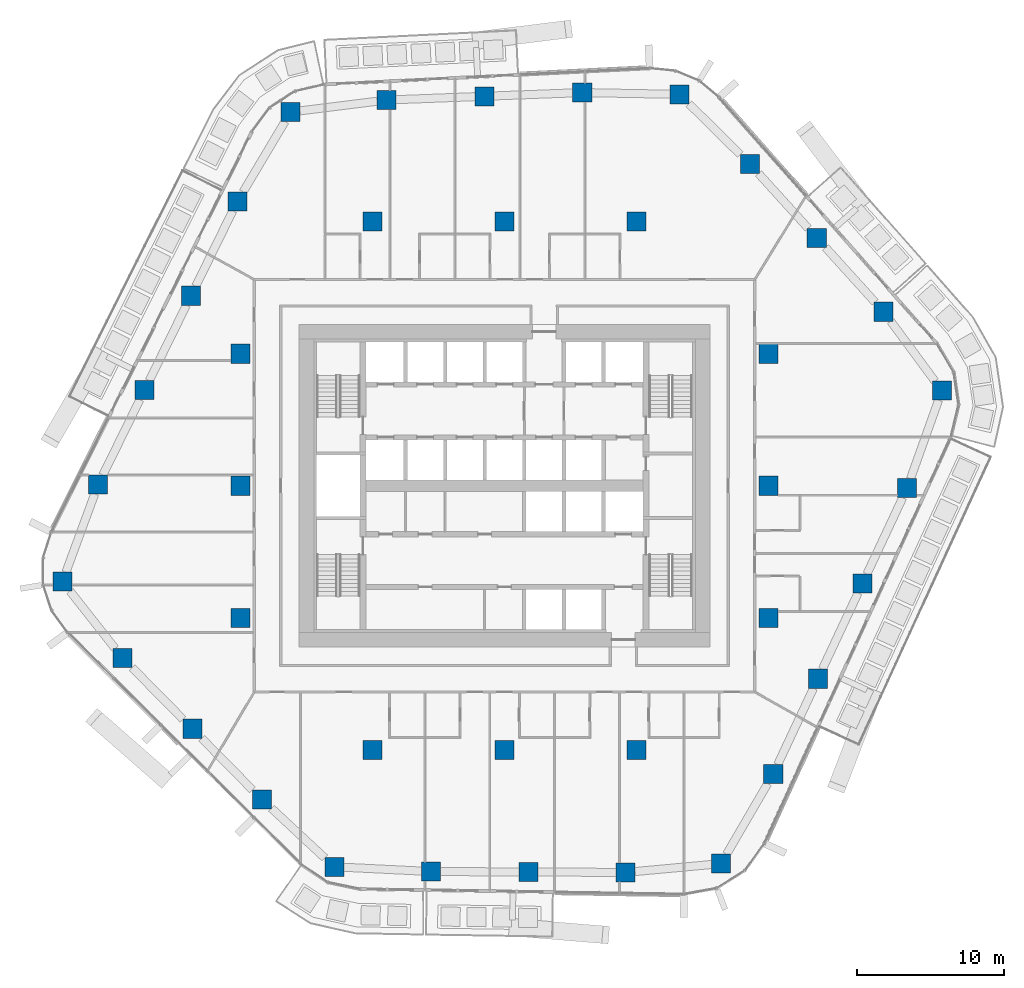
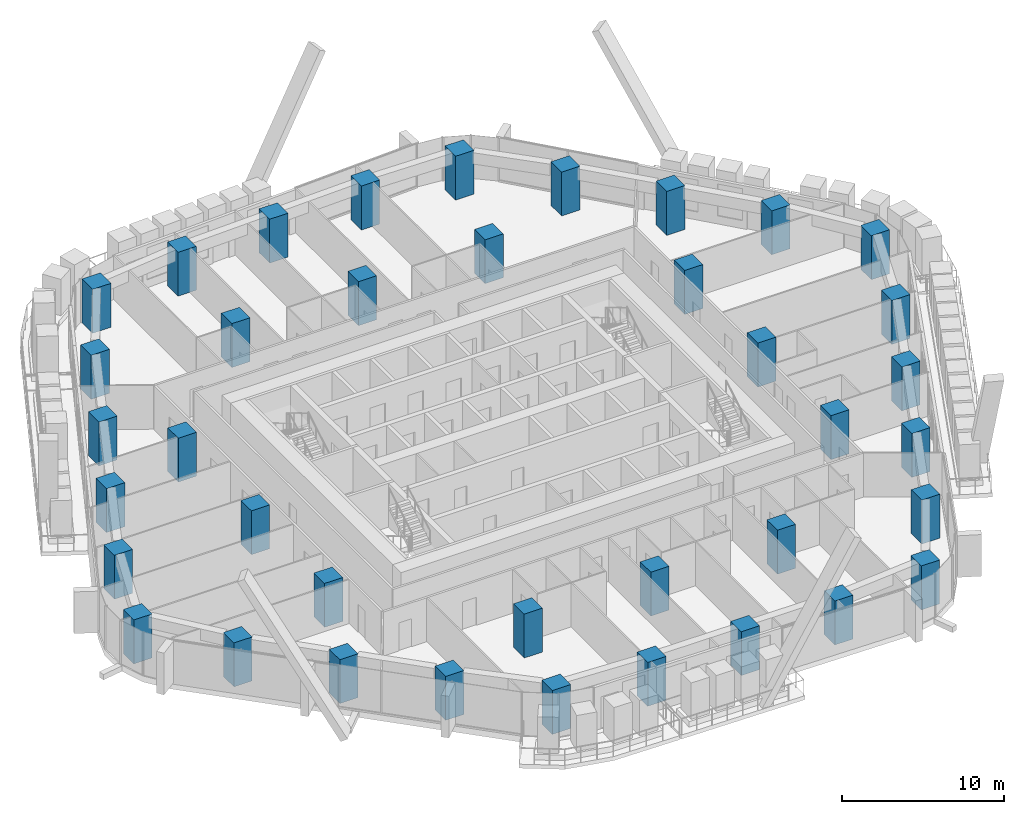
# One storey, part 1 of 25: 38 columns.
"""IFC4 building model written with IfcOpenShell, lengths in metres."""

from ifc_helpers import new_model, si_unit, direction, frame, origin, origin_2d, place, context, subcontext, project, spatial, rectangle, extrude, material, material_profile, profile_set, type_object, element, save


model = new_model("IFC4")

# Units and contexts
model_context = context("Model", 3, precision=1e-05, world=origin(), true_north=direction((0.0, 1.0)))
body_context = subcontext(model_context, "Body", "Model", "MODEL_VIEW")
ifc_project = project(units=[si_unit("LENGTHUNIT", "METRE"), si_unit("AREAUNIT", "SQUARE_METRE"), si_unit("VOLUMEUNIT", "CUBIC_METRE"), si_unit("PLANEANGLEUNIT", "RADIAN"), si_unit("MASSUNIT", "GRAM", prefix="KILO")], contexts=[model_context])

# Site, building, storey
site_placement = place(None, origin())
site = spatial("IfcSite", under=ifc_project, at=site_placement, CompositionType="ELEMENT")
building_placement = place(site_placement, origin())
building = spatial("IfcBuilding", under=site, at=building_placement, Name="Dongbaek Canopy Tower", CompositionType="ELEMENT")
storey_placement = place(building_placement, frame((0.0, 0.0, 102.60009765625)))
storey = spatial("IfcBuildingStorey", under=building, at=storey_placement, Name="L21", CompositionType="ELEMENT", Elevation=102.60009765625)

# Columns
ifc_material = material(Name="Concrete C80", Category="concrete")
ifc_material_profile = material_profile(ifc_material, rectangle(XDim=1.300048828125, YDim=1.300048828125, at=origin_2d()), Name="RC COLUMN 1300x1300 C80")
ifc_profile_set = profile_set([ifc_material_profile], Name="Concrete C80")
column_type = type_object("IfcColumnType", Name="RC COLUMN 1300x1300 C80", PredefinedType="COLUMN", material=ifc_profile_set)
for number, where, z_axis, x_axis, name in (
    (1, (14.760009765625, -25.7490234375, 0.0), (0.0, 0.0, 1.0), (1.0, 0.0, 0.0), "COL:CZ2-01:L21"),
    (2, (8.258056640625, -26.34912109375, 0.0), (0.0, 0.0, 1.0), (1.0, 0.0, 0.0), "COL:CZ2-02:L21"),
    (3, (1.62890625, -26.319091796875, 0.0), (0.0, 0.0, 1.0), (1.0, 0.0, 0.0), "COL:CZ2-03:L21"),
    (4, (-5.0, -26.2900390625, 0.0), (0.0, 0.0, 1.0), (1.0, 0.0, 0.0), "COL:CZ2-04:L21"),
    (5, (-11.59912109375, -25.966064453125, 0.0), (0.0, 0.0, 1.0), (1.0, 0.0, 0.0), "COL:CZ2-05:L21"),
    (6, (-16.532958984375, -21.376953125, 0.0), (0.0, 0.0, 1.0), (1.0, 0.0, 0.0), "COL:CZ2-06:L21"),
    (7, (-21.277099609375, -16.56005859375, 0.0), (0.0, 0.0, 1.0), (1.0, 0.0, 0.0), "COL:CZ2-07:L21"),
    (8, (-26.02099609375, -11.742919921875, 0.0), (0.0, 0.0, 1.0), (1.0, 0.0, 0.0), "COL:CZ2-08:L21"),
    (9, (-30.125, -6.527099609375, 0.0), (0.0, 0.0, 1.0), (1.0, 0.0, 0.0), "COL:CZ2-09:L21"),
    (10, (-27.693115234375, 0.0830078125, 0.0), (0.0, 0.0, 1.0), (1.0, 0.0, 0.0), "COL:CZ2-10:L21"),
    (11, (-24.529052734375, 6.51806640625, 0.0), (0.0, 0.0, 1.0), (1.0, 0.0, 0.0), "COL:CZ2-11:L21"),
    (12, (-21.364013671875, 12.951904296875, 0.0), (0.0, 0.0, 1.0), (1.0, 0.0, 0.0), "COL:CZ2-12:L21"),
    (13, (-18.198974609375, 19.385986328125, 0.0), (0.0, 0.0, 1.0), (1.0, 0.0, 0.0), "COL:CZ2-13:L21"),
    (14, (-14.575927734375, 25.471923828125, 0.0), (0.0, 0.0, 1.0), (1.0, 0.0, 0.0), "COL:CZ2-14:L21"),
    (15, (-8.041015625, 26.2880859375, 0.0), (0.0, 0.0, 1.0), (1.0, 0.0, 0.0), "COL:CZ2-15:L21"),
    (16, (-1.3720703125, 26.5439453125, 0.0), (0.0, 0.0, 1.0), (1.0, 0.0, 0.0), "COL:CZ2-16:L21"),
    (17, (5.294921875, 26.798095703125, 0.0), (0.0, 0.0, 1.0), (1.0, 0.0, 0.0), "COL:CZ2-17:L21"),
    (18, (11.9169921875, 26.674072265625, 0.0), (0.0, 0.0, 1.0), (1.0, 0.0, 0.0), "COL:CZ2-18:L21"),
    (19, (16.718017578125, 21.93505859375, 0.0), (0.0, 0.0, 1.0), (1.0, 0.0, 0.0), "COL:CZ2-19:L21"),
    (20, (21.280029296875, 16.89794921875, 0.0), (0.0, 0.0, 1.0), (1.0, 0.0, 0.0), "COL:CZ2-20:L21"),
    (21, (25.841064453125, 11.862060546875, 0.0), (0.0, 0.0, 1.0), (1.0, 0.0, 0.0), "COL:CZ2-21:L21"),
    (22, (29.81103515625, 6.48193359375, 0.0), (0.0, 0.0, 1.0), (1.0, 0.0, 0.0), "COL:CZ2-22:L21"),
    (23, (27.43603515625, -0.1650390625, 0.0), (0.0, 0.0, 1.0), (1.0, 0.0, 0.0), "COL:CZ2-23:L21"),
    (24, (24.39599609375, -6.656982421875, 0.0), (0.0, 0.0, 1.0), (1.0, 0.0, 0.0), "COL:CZ2-24:L21"),
    (25, (21.35595703125, -13.14990234375, 0.0), (0.0, 0.0, 1.0), (1.0, 0.0, 0.0), "COL:CZ2-25:L21"),
    (26, (18.31494140625, -19.64208984375, 0.0), (0.0, 0.0, 1.0), (1.0, 0.0, 0.0), "COL:CZ2-26:L21"),
    (27, (-18.0, -9.0, 0.0), (0.0, 0.0, 1.0), (1.0, 0.0, 0.0), "COL:CIZ2-01:L21"),
    (28, (-18.0, 0.0, 0.0), (0.0, 0.0, 1.0), (1.0, 0.0, 0.0), "COL:CIZ2-02:L21"),
    (29, (-18.0, 9.0, 0.0), (0.0, 0.0, 1.0), (1.0, 0.0, 0.0), "COL:CIZ2-03:L21"),
    (30, (-9.0, -18.0, 0.0), (0.0, 0.0, 1.0), (1.0, 0.0, 0.0), "COL:CIZ2-04:L21"),
    (31, (-9.0, 18.0, 0.0), (0.0, 0.0, 1.0), (1.0, 0.0, 0.0), "COL:CIZ2-05:L21"),
    (32, (0.0, -18.0, 0.0), (0.0, 0.0, 1.0), (1.0, 0.0, 0.0), "COL:CIZ2-06:L21"),
    (33, (0.0, 18.0, 0.0), (0.0, 0.0, 1.0), (1.0, 0.0, 0.0), "COL:CIZ2-07:L21"),
    (34, (9.0, -18.0, 0.0), (0.0, 0.0, 1.0), (1.0, 0.0, 0.0), "COL:CIZ2-08:L21"),
    (35, (9.0, 18.0, 0.0), (0.0, 0.0, 1.0), (1.0, 0.0, 0.0), "COL:CIZ2-09:L21"),
    (36, (18.0, -9.0, 0.0), (0.0, 0.0, 1.0), (1.0, 0.0, 0.0), "COL:CIZ2-10:L21"),
    (37, (18.0, 0.0, 0.0), (0.0, 0.0, 1.0), (1.0, 0.0, 0.0), "COL:CIZ2-11:L21"),
    (38, (18.0, 9.0, 0.0), (0.0, 0.0, 1.0), (1.0, 0.0, 0.0), "COL:CIZ2-12:L21"),
):
    element("IfcColumn", number, at=place(storey_placement, frame(where, z_axis=z_axis, x_axis=x_axis)), inside=storey, type_object=column_type, Name=name, PredefinedType="COLUMN", context=body_context, shape_type="SweptSolid", body=[
        extrude(rectangle(XDim=1.300048828125, YDim=1.300048828125, at=origin_2d()), origin(), (0.0, 0.0, 1.0), 3.2998046875),
    ])

save(model, "model.ifc")
